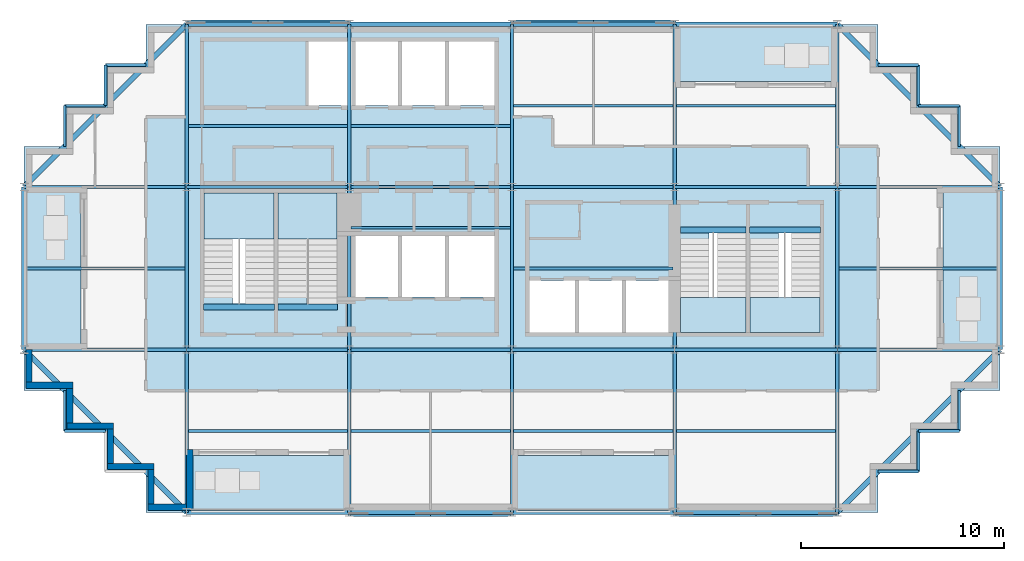
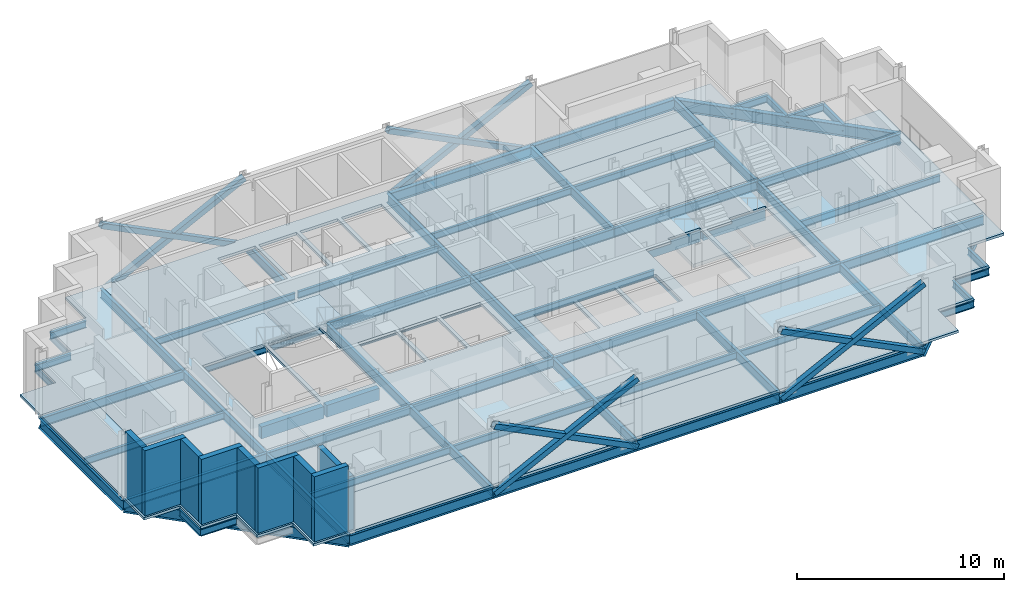
# One storey, part 3 of 10: 71 beams, 12 slabs, 9 walls, 8 members, 4 elements without a shape of their own.
"""IFC4 building model written with IfcOpenShell, lengths in metres."""

from ifc_helpers import new_model, si_unit, direction, frame, frame_2d, origin, origin_2d, place, context, subcontext, project, spatial, polyline, rectangle, hollow_rectangle, i_section, outline, extrude, material, layer, layer_set, material_profile, profile_set, type_object, element, aggregate, save


model = new_model("IFC4")

# Units and contexts
model_context = context("Model", 3, precision=1e-05, world=origin(), true_north=direction((0.0, 1.0)))
body_context = subcontext(model_context, "Body", "Model", "MODEL_VIEW")
ifc_project = project(units=[si_unit("LENGTHUNIT", "METRE"), si_unit("AREAUNIT", "SQUARE_METRE"), si_unit("VOLUMEUNIT", "CUBIC_METRE"), si_unit("PLANEANGLEUNIT", "RADIAN"), si_unit("MASSUNIT", "GRAM", prefix="KILO")], contexts=[model_context])

# Site, building, storey
site_placement = place(None, origin())
site = spatial("IfcSite", under=ifc_project, at=site_placement, CompositionType="ELEMENT")
building_placement = place(site_placement, origin())
building = spatial("IfcBuilding", under=site, at=building_placement, Name="Immortelle Media Tower", CompositionType="ELEMENT")
storey_placement = place(building_placement, frame((0.0, 0.0, 217.0)))
storey = spatial("IfcBuildingStorey", under=building, at=storey_placement, Name="L46", CompositionType="ELEMENT", Elevation=217.0)

# Members
ifc_material_1 = material(Name="Steel ASTM A500 Gr C", Category="steel")
ifc_material_profile_1 = material_profile(ifc_material_1, hollow_rectangle(XDim=0.304931640625, YDim=0.304931640625, WallThickness=0.011962890625, at=origin_2d()), Name="HSS12x12x1/2 brace")
ifc_profile_set_1 = profile_set([ifc_material_profile_1], Name="Steel ASTM A500 Gr C")
member_type = type_object("IfcMemberType", Name="HSS12x12x1/2 brace", PredefinedType="BRACE", material=ifc_profile_set_1)
for number, where, z_axis, x_axis, name in (
    (1, (16.0, -0.0625, -0.4560546875), (0.894427191, 0.0, 0.4472135955), (0.0, 1.0, 0.0), "Brace A/3-4 A"),
    (2, (16.0, -0.0625, 3.5439453125), (0.894427191, 0.0, -0.4472135955), (0.0, 1.0, 0.0), "Brace A/3-4 B"),
    (3, (32.0, -0.0625, -0.4560546875), (0.894427191, 0.0, 0.4472135955), (0.0, 1.0, 0.0), "Brace A/5-6 A"),
    (4, (32.0, -0.0625, 3.5439453125), (0.894427191, 0.0, -0.4472135955), (0.0, 1.0, 0.0), "Brace A/5-6 B"),
    (5, (32.0, 24.0625, -0.4560546875), (-0.894427191, 0.0, 0.4472135955), (0.0, -1.0, 0.0), "Brace D/4-5 A"),
    (6, (32.0, 24.0625, 3.5439453125), (-0.894427191, 0.0, -0.4472135955), (0.0, -1.0, 0.0), "Brace D/4-5 B"),
    (7, (16.0, 24.0625, -0.4560546875), (-0.894427191, 0.0, 0.4472135955), (0.0, -1.0, 0.0), "Brace D/2-3 A"),
    (8, (16.0, 24.0625, 3.5439453125), (-0.894427191, 0.0, -0.4472135955), (0.0, -1.0, 0.0), "Brace D/2-3 B"),
):
    element("IfcMember", number, at=place(storey_placement, frame(where, z_axis=z_axis, x_axis=x_axis)), inside=storey, type_object=member_type, Name=name, PredefinedType="BRACE", context=body_context, shape_type="SweptSolid", body=[
        extrude(hollow_rectangle(XDim=0.304931640625, YDim=0.304931640625, WallThickness=0.011962890625, at=origin_2d()), origin(), (0.0, 0.0, 1.0), 8.9443359375),
    ])

# Beams
ifc_material_2 = material(Name="Concrete C50/60", Category="concrete")
ifc_material_profile_2 = material_profile(ifc_material_2, rectangle(XDim=0.300048828125, YDim=0.699951171875, at=origin_2d()), Name="RC 300x700")
ifc_profile_set_2 = profile_set([ifc_material_profile_2], Name="Concrete C50/60")
beam_type_1 = type_object("IfcBeamType", Name="Stair trimmer beam 300 x 700", PredefinedType="BEAM", material=ifc_profile_set_2)
beam_1_placement = place(storey_placement, frame((8.830078125, 10.10498046875, -0.5), z_axis=(1.0, 0.0, 0.0), x_axis=(0.0, 1.0, 0.0)))
element("IfcBeam", 9, at=beam_1_placement, inside=storey, type_object=beam_type_1, Name="Stair trimmer beam SW1", PredefinedType="BEAM", context=body_context, shape_type="SweptSolid", body=[
    extrude(rectangle(XDim=0.300048828125, YDim=0.699951171875, at=origin_2d()), origin(), (0.0, 0.0, 1.0), 3.489990234375),
])
beam_2_placement = place(storey_placement, frame((12.47998046875, 10.10498046875, -0.5), z_axis=(1.0, 0.0, 0.0), x_axis=(0.0, 1.0, 0.0)))
element("IfcBeam", 10, at=beam_2_placement, inside=storey, type_object=beam_type_1, Name="Stair trimmer beam SW2", PredefinedType="BEAM", context=body_context, shape_type="SweptSolid", body=[
    extrude(rectangle(XDim=0.300048828125, YDim=0.699951171875, at=origin_2d()), origin(), (0.0, 0.0, 1.0), 2.93994140625),
])
beam_3_placement = place(storey_placement, frame((32.280029296875, 13.89501953125, -0.5), z_axis=(1.0, 0.0, 0.0), x_axis=(0.0, 1.0, 0.0)))
element("IfcBeam", 11, at=beam_3_placement, inside=storey, type_object=beam_type_1, Name="Stair trimmer beam SE1", PredefinedType="BEAM", context=body_context, shape_type="SweptSolid", body=[
    extrude(rectangle(XDim=0.300048828125, YDim=0.699951171875, at=origin_2d()), origin(), (0.0, 0.0, 1.0), 3.239990234375),
])
beam_4_placement = place(storey_placement, frame((35.679931640625, 13.89501953125, -0.5), z_axis=(1.0, 0.0, 0.0), x_axis=(0.0, 1.0, 0.0)))
element("IfcBeam", 12, at=beam_4_placement, inside=storey, type_object=beam_type_1, Name="Stair trimmer beam SE2", PredefinedType="BEAM", context=body_context, shape_type="SweptSolid", body=[
    extrude(rectangle(XDim=0.300048828125, YDim=0.699951171875, at=origin_2d()), origin(), (0.0, 0.0, 1.0), 3.489990234375),
])
ifc_material_3 = material(Name="Steel ASTM A992 Gr 50", Category="steel")
ifc_material_profile_3 = material_profile(ifc_material_3, i_section(OverallWidth=0.139892578125, OverallDepth=0.404052734375, WebThickness=0.007080078125, FlangeThickness=0.010986328125, at=origin_2d()), Name="W16x31")
ifc_profile_set_3 = profile_set([ifc_material_profile_3], Name="Steel ASTM A992 Gr 50")
beam_type_2 = type_object("IfcBeamType", Name="W16x31 secondary beam", PredefinedType="JOIST", material=ifc_profile_set_3)
for number, where, z_axis, x_axis, name in (
    (13, (8.08349609375, 4.0, -0.35205078125), (1.0, 0.0, 0.0), (0.0, 1.0, 0.0), "Beam A-B/2-3"),
    (14, (16.08349609375, 4.0, -0.35205078125), (1.0, 0.0, 0.0), (0.0, 1.0, 0.0), "Beam A-B/3-4"),
    (15, (24.08349609375, 4.0, -0.35205078125), (1.0, 0.0, 0.0), (0.0, 1.0, 0.0), "Beam A-B/4-5"),
    (16, (32.08349609375, 4.0, -0.35205078125), (1.0, 0.0, 0.0), (0.0, 1.0, 0.0), "Beam A-B/5-6"),
):
    element("IfcBeam", number, at=place(storey_placement, frame(where, z_axis=z_axis, x_axis=x_axis)), inside=storey, type_object=beam_type_2, Name=name, PredefinedType="JOIST", context=body_context, shape_type="SweptSolid", body=[
        extrude(i_section(OverallWidth=0.139892578125, OverallDepth=0.404052734375, WebThickness=0.007080078125, FlangeThickness=0.010986328125, at=origin_2d()), origin(), (0.0, 0.0, 1.0), 7.8330078125),
    ])
beam_5_placement = place(storey_placement, frame((0.114501953125, 12.0, -0.35205078125), z_axis=(1.0, 0.0, 0.0), x_axis=(0.0, 1.0, 0.0)))
element("IfcBeam", 17, at=beam_5_placement, inside=storey, type_object=beam_type_2, Name="Beam B-C/1-2", PredefinedType="JOIST", context=body_context, shape_type="SweptSolid", body=[
    extrude(i_section(OverallWidth=0.139892578125, OverallDepth=0.404052734375, WebThickness=0.007080078125, FlangeThickness=0.010986328125, at=origin_2d()), origin(), (0.0, 0.0, 1.0), 7.802001953125),
])
for number, where, z_axis, x_axis, name in (
    (18, (16.08349609375, 14.0, -0.35205078125), (1.0, 0.0, 0.0), (0.0, 1.0, 0.0), "Beam B-C/3-4"),
    (19, (24.08349609375, 12.0, -0.35205078125), (1.0, 0.0, 0.0), (0.0, 1.0, 0.0), "Beam B-C/4-5"),
):
    element("IfcBeam", number, at=place(storey_placement, frame(where, z_axis=z_axis, x_axis=x_axis)), inside=storey, type_object=beam_type_2, Name=name, PredefinedType="JOIST", context=body_context, shape_type="SweptSolid", body=[
        extrude(i_section(OverallWidth=0.139892578125, OverallDepth=0.404052734375, WebThickness=0.007080078125, FlangeThickness=0.010986328125, at=origin_2d()), origin(), (0.0, 0.0, 1.0), 7.8330078125),
    ])
beam_6_placement = place(storey_placement, frame((40.08349609375, 12.0, -0.35205078125), z_axis=(1.0, 0.0, 0.0), x_axis=(0.0, 1.0, 0.0)))
element("IfcBeam", 20, at=beam_6_placement, inside=storey, type_object=beam_type_2, Name="Beam B-C/6-7", PredefinedType="JOIST", context=body_context, shape_type="SweptSolid", body=[
    extrude(i_section(OverallWidth=0.139892578125, OverallDepth=0.404052734375, WebThickness=0.007080078125, FlangeThickness=0.010986328125, at=origin_2d()), origin(), (0.0, 0.0, 1.0), 7.802001953125),
])
for number, where, z_axis, x_axis, name in (
    (21, (8.08349609375, 19.0, -0.35205078125), (1.0, 0.0, 0.0), (0.0, 1.0, 0.0), "Beam C-D/2-3"),
    (22, (16.08349609375, 19.0, -0.35205078125), (1.0, 0.0, 0.0), (0.0, 1.0, 0.0), "Beam C-D/3-4"),
    (23, (24.08349609375, 20.0, -0.35205078125), (1.0, 0.0, 0.0), (0.0, 1.0, 0.0), "Beam C-D/4-5"),
    (24, (32.08349609375, 20.0, -0.35205078125), (1.0, 0.0, 0.0), (0.0, 1.0, 0.0), "Beam C-D/5-6"),
):
    element("IfcBeam", number, at=place(storey_placement, frame(where, z_axis=z_axis, x_axis=x_axis)), inside=storey, type_object=beam_type_2, Name=name, PredefinedType="JOIST", context=body_context, shape_type="SweptSolid", body=[
        extrude(i_section(OverallWidth=0.139892578125, OverallDepth=0.404052734375, WebThickness=0.007080078125, FlangeThickness=0.010986328125, at=origin_2d()), origin(), (0.0, 0.0, 1.0), 7.8330078125),
    ])
ifc_material_profile_4 = material_profile(ifc_material_3, i_section(OverallWidth=0.139892578125, OverallDepth=0.404052734375, WebThickness=0.007080078125, FlangeThickness=0.010986328125, at=origin_2d()), Name="W16x31")
ifc_profile_set_4 = profile_set([ifc_material_profile_4], Name="Steel ASTM A992 Gr 50")
beam_type_3 = type_object("IfcBeamType", Name="W16x31 serration edge beam", PredefinedType="SPANDREL", material=ifc_profile_set_4)
for number, where, z_axis, x_axis, name in (
    (25, (4.0, 4.0, -0.35205078125), (-1.0, 0.0, 0.0), (0.0, -1.0, 0.0), "Corner edge beam 3 at 1/A"),
    (26, (2.0, 4.0, -0.35205078125), (0.0, 1.0, 0.0), (-1.0, 0.0, 0.0), "Corner edge beam 4 at 1/A"),
    (27, (2.0, 18.0, -0.35205078125), (0.0, 1.0, 0.0), (-1.0, 0.0, 0.0), "Corner edge beam 1 at 1/D"),
    (28, (2.0, 20.0, -0.35205078125), (1.0, 0.0, 0.0), (0.0, 1.0, 0.0), "Corner edge beam 2 at 1/D"),
    (29, (4.0, 20.0, -0.35205078125), (0.0, 1.0, 0.0), (-1.0, 0.0, 0.0), "Corner edge beam 3 at 1/D"),
    (30, (4.0, 22.0, -0.35205078125), (1.0, 0.0, 0.0), (0.0, 1.0, 0.0), "Corner edge beam 4 at 1/D"),
    (31, (46.0, 6.0, -0.35205078125), (0.0, -1.0, 0.0), (1.0, 0.0, 0.0), "Corner edge beam 1 at 7/A"),
    (32, (46.0, 4.0, -0.35205078125), (-1.0, 0.0, 0.0), (0.0, -1.0, 0.0), "Corner edge beam 2 at 7/A"),
    (33, (44.0, 4.0, -0.35205078125), (0.0, -1.0, 0.0), (1.0, 0.0, 0.0), "Corner edge beam 3 at 7/A"),
    (34, (44.0, 2.0, -0.35205078125), (-1.0, 0.0, 0.0), (0.0, -1.0, 0.0), "Corner edge beam 4 at 7/A"),
    (35, (42.0, 22.0, -0.35205078125), (1.0, 0.0, 0.0), (0.0, 1.0, 0.0), "Corner edge beam 1 at 7/D"),
    (36, (44.0, 22.0, -0.35205078125), (0.0, -1.0, 0.0), (1.0, 0.0, 0.0), "Corner edge beam 2 at 7/D"),
    (37, (44.0, 20.0, -0.35205078125), (1.0, 0.0, 0.0), (0.0, 1.0, 0.0), "Corner edge beam 3 at 7/D"),
    (38, (46.0, 20.0, -0.35205078125), (0.0, -1.0, 0.0), (1.0, 0.0, 0.0), "Corner edge beam 4 at 7/D"),
):
    element("IfcBeam", number, at=place(storey_placement, frame(where, z_axis=z_axis, x_axis=x_axis)), inside=storey, type_object=beam_type_3, Name=name, PredefinedType="SPANDREL", context=body_context, shape_type="SweptSolid", body=[
        extrude(i_section(OverallWidth=0.139892578125, OverallDepth=0.404052734375, WebThickness=0.007080078125, FlangeThickness=0.010986328125, at=origin_2d()), origin(), (0.0, 0.0, 1.0), 2.0),
    ])
ifc_material_profile_5 = material_profile(ifc_material_3, i_section(OverallWidth=0.1669921875, OverallDepth=0.535888671875, WebThickness=0.010009765625, FlangeThickness=0.01708984375, at=origin_2d()), Name="W21x57")
ifc_profile_set_5 = profile_set([ifc_material_profile_5], Name="Steel ASTM A992 Gr 50")
beam_type_4 = type_object("IfcBeamType", Name="W21x57 girder", PredefinedType="BEAM", material=ifc_profile_set_5)
for number, where, z_axis, x_axis, name in (
    (39, (0.0, 8.0, -0.41796875), (1.0, 0.0, 0.0), (0.0, 1.0, 0.0), "Girder B/1-2"),
    (40, (0.0, 16.0, -0.41796875), (1.0, 0.0, 0.0), (0.0, 1.0, 0.0), "Girder C/1-2"),
    (41, (8.0, 0.0, -0.41796875), (0.0, 1.0, 0.0), (-1.0, 0.0, 0.0), "Girder 2/A-B"),
    (42, (8.0, 8.0, -0.41796875), (1.0, 0.0, 0.0), (0.0, 1.0, 0.0), "Girder B/2-3"),
    (43, (8.0, 8.0, -0.41796875), (0.0, 1.0, 0.0), (-1.0, 0.0, 0.0), "Girder 2/B-C"),
    (44, (8.0, 16.0, -0.41796875), (1.0, 0.0, 0.0), (0.0, 1.0, 0.0), "Girder C/2-3"),
    (45, (8.0, 16.0, -0.41796875), (0.0, 1.0, 0.0), (-1.0, 0.0, 0.0), "Girder 2/C-D"),
    (46, (16.0, 0.0, -0.41796875), (0.0, 1.0, 0.0), (-1.0, 0.0, 0.0), "Girder 3/A-B"),
    (47, (16.0, 8.0, -0.41796875), (1.0, 0.0, 0.0), (0.0, 1.0, 0.0), "Girder B/3-4"),
    (48, (16.0, 8.0, -0.41796875), (0.0, 1.0, 0.0), (-1.0, 0.0, 0.0), "Girder 3/B-C"),
    (49, (16.0, 16.0, -0.41796875), (1.0, 0.0, 0.0), (0.0, 1.0, 0.0), "Girder C/3-4"),
    (50, (16.0, 16.0, -0.41796875), (0.0, 1.0, 0.0), (-1.0, 0.0, 0.0), "Girder 3/C-D"),
    (51, (24.0, 0.0, -0.41796875), (0.0, 1.0, 0.0), (-1.0, 0.0, 0.0), "Girder 4/A-B"),
    (52, (24.0, 8.0, -0.41796875), (1.0, 0.0, 0.0), (0.0, 1.0, 0.0), "Girder B/4-5"),
    (53, (24.0, 8.0, -0.41796875), (0.0, 1.0, 0.0), (-1.0, 0.0, 0.0), "Girder 4/B-C"),
    (54, (24.0, 16.0, -0.41796875), (1.0, 0.0, 0.0), (0.0, 1.0, 0.0), "Girder C/4-5"),
    (55, (24.0, 16.0, -0.41796875), (0.0, 1.0, 0.0), (-1.0, 0.0, 0.0), "Girder 4/C-D"),
    (56, (32.0, 0.0, -0.41796875), (0.0, 1.0, 0.0), (-1.0, 0.0, 0.0), "Girder 5/A-B"),
    (57, (32.0, 8.0, -0.41796875), (1.0, 0.0, 0.0), (0.0, 1.0, 0.0), "Girder B/5-6"),
    (58, (32.0, 8.0, -0.41796875), (0.0, 1.0, 0.0), (-1.0, 0.0, 0.0), "Girder 5/B-C"),
    (59, (32.0, 16.0, -0.41796875), (1.0, 0.0, 0.0), (0.0, 1.0, 0.0), "Girder C/5-6"),
    (60, (32.0, 16.0, -0.41796875), (0.0, 1.0, 0.0), (-1.0, 0.0, 0.0), "Girder 5/C-D"),
    (61, (40.0, 0.0, -0.41796875), (0.0, 1.0, 0.0), (-1.0, 0.0, 0.0), "Girder 6/A-B"),
    (62, (40.0, 8.0, -0.41796875), (1.0, 0.0, 0.0), (0.0, 1.0, 0.0), "Girder B/6-7"),
    (63, (40.0, 8.0, -0.41796875), (0.0, 1.0, 0.0), (-1.0, 0.0, 0.0), "Girder 6/B-C"),
    (64, (40.0, 16.0, -0.41796875), (1.0, 0.0, 0.0), (0.0, 1.0, 0.0), "Girder C/6-7"),
    (65, (40.0, 16.0, -0.41796875), (0.0, 1.0, 0.0), (-1.0, 0.0, 0.0), "Girder 6/C-D"),
):
    element("IfcBeam", number, at=place(storey_placement, frame(where, z_axis=z_axis, x_axis=x_axis)), inside=storey, type_object=beam_type_4, Name=name, PredefinedType="BEAM", context=body_context, shape_type="SweptSolid", body=[
        extrude(i_section(OverallWidth=0.1669921875, OverallDepth=0.535888671875, WebThickness=0.010009765625, FlangeThickness=0.01708984375, at=origin_2d()), origin(), (0.0, 0.0, 1.0), 8.0),
    ])
ifc_material_profile_6 = material_profile(ifc_material_3, i_section(OverallWidth=0.22900390625, OverallDepth=0.612060546875, WebThickness=0.011962890625, FlangeThickness=0.02001953125, at=origin_2d()), Name="W24x84")
ifc_profile_set_6 = profile_set([ifc_material_profile_6], Name="Steel ASTM A992 Gr 50")
beam_type_5 = type_object("IfcBeamType", Name="W24x84 perimeter girder", PredefinedType="SPANDREL", material=ifc_profile_set_6)
for number, where, z_axis, x_axis, name in (
    (66, (0.0, 8.0, -0.4560546875), (0.0, 1.0, 0.0), (-1.0, 0.0, 0.0), "Girder 1/B-C"),
    (67, (8.0, 0.0, -0.4560546875), (1.0, 0.0, 0.0), (0.0, 1.0, 0.0), "Girder A/2-3"),
    (68, (8.0, 24.0, -0.4560546875), (1.0, 0.0, 0.0), (0.0, 1.0, 0.0), "Girder D/2-3"),
    (69, (16.0, 0.0, -0.4560546875), (1.0, 0.0, 0.0), (0.0, 1.0, 0.0), "Girder A/3-4"),
    (70, (16.0, 24.0, -0.4560546875), (1.0, 0.0, 0.0), (0.0, 1.0, 0.0), "Girder D/3-4"),
    (71, (24.0, 0.0, -0.4560546875), (1.0, 0.0, 0.0), (0.0, 1.0, 0.0), "Girder A/4-5"),
    (72, (24.0, 24.0, -0.4560546875), (1.0, 0.0, 0.0), (0.0, 1.0, 0.0), "Girder D/4-5"),
    (73, (32.0, 0.0, -0.4560546875), (1.0, 0.0, 0.0), (0.0, 1.0, 0.0), "Girder A/5-6"),
    (74, (32.0, 24.0, -0.4560546875), (1.0, 0.0, 0.0), (0.0, 1.0, 0.0), "Girder D/5-6"),
    (75, (48.0, 8.0, -0.4560546875), (0.0, 1.0, 0.0), (-1.0, 0.0, 0.0), "Girder 7/B-C"),
):
    element("IfcBeam", number, at=place(storey_placement, frame(where, z_axis=z_axis, x_axis=x_axis)), inside=storey, type_object=beam_type_5, Name=name, PredefinedType="SPANDREL", context=body_context, shape_type="SweptSolid", body=[
        extrude(i_section(OverallWidth=0.22900390625, OverallDepth=0.612060546875, WebThickness=0.011962890625, FlangeThickness=0.02001953125, at=origin_2d()), origin(), (0.0, 0.0, 1.0), 8.0),
    ])
ifc_material_profile_7 = material_profile(ifc_material_3, i_section(OverallWidth=0.2529296875, OverallDepth=0.677978515625, WebThickness=0.011962890625, FlangeThickness=0.01611328125, at=origin_2d()), Name="W27x84")
ifc_profile_set_7 = profile_set([ifc_material_profile_7], Name="Steel ASTM A992 Gr 50")
beam_type_6 = type_object("IfcBeamType", Name="W27x84 corner girder", PredefinedType="SPANDREL", material=ifc_profile_set_7)
for number, where, z_axis, x_axis, name in (
    (76, (8.0, 0.0, -0.489013671875), (-0.707106781187, 0.707106781187, 0.0), (-0.707106781187, -0.707106781187, 0.0), "Corner girder at 1/A"),
    (77, (0.0, 16.0, -0.489013671875), (0.707106781187, 0.707106781187, 0.0), (-0.707106781187, 0.707106781187, 0.0), "Corner girder at 1/D"),
    (78, (48.0, 8.0, -0.489013671875), (-0.707106781187, -0.707106781187, 0.0), (0.707106781187, -0.707106781187, 0.0), "Corner girder at 7/A"),
    (79, (40.0, 24.0, -0.489013671875), (0.707106781187, -0.707106781187, 0.0), (0.707106781187, 0.707106781187, 0.0), "Corner girder at 7/D"),
):
    element("IfcBeam", number, at=place(storey_placement, frame(where, z_axis=z_axis, x_axis=x_axis)), inside=storey, type_object=beam_type_6, Name=name, PredefinedType="SPANDREL", context=body_context, shape_type="SweptSolid", body=[
        extrude(i_section(OverallWidth=0.2529296875, OverallDepth=0.677978515625, WebThickness=0.011962890625, FlangeThickness=0.01611328125, at=origin_2d()), origin(), (0.0, 0.0, 1.0), 11.313720703125),
    ])

# Slabs
ifc_material_4 = material(Name="Concrete C50/60 composite deck", Category="concrete")
ifc_layer_1 = layer(ifc_material_4, 0.14990234375)
ifc_layer_set_1 = layer_set([ifc_layer_1], Name="Concrete C50/60 composite deck")
slab_type_1 = type_object("IfcSlabType", Name="Balcony slab 150", PredefinedType="FLOOR", material=ifc_layer_set_1)
slab_1_placement = place(storey_placement, frame((0.0, 0.0, -0.14990234375)))
element("IfcSlab", 80, at=slab_1_placement, inside=storey, type_object=slab_type_1, Name="Balcony slab L46 S0", PredefinedType="FLOOR", context=body_context, shape_type="SweptSolid", body=[
    extrude(outline(polyline([(16.0, 0.0), (16.0, 2.800048828125), (8.0, 2.800048828125), (8.0, 0.0), (16.0, 0.0)])), origin(), (0.0, 0.0, 1.0), 0.14990234375),
])
slab_2_placement = place(storey_placement, frame((0.0, 0.0, -0.14990234375)))
element("IfcSlab", 81, at=slab_2_placement, inside=storey, type_object=slab_type_1, Name="Balcony slab L46 S2", PredefinedType="FLOOR", context=body_context, shape_type="SweptSolid", body=[
    extrude(outline(polyline([(32.0, 0.0), (32.0, 2.800048828125), (24.0, 2.800048828125), (24.0, 0.0), (32.0, 0.0)])), origin(), (0.0, 0.0, 1.0), 0.14990234375),
])
slab_3_placement = place(storey_placement, frame((0.0, 0.0, -0.14990234375)))
element("IfcSlab", 82, at=slab_3_placement, inside=storey, type_object=slab_type_1, Name="Balcony slab L46 E0", PredefinedType="FLOOR", context=body_context, shape_type="SweptSolid", body=[
    extrude(outline(polyline([(48.0, 8.0), (48.0, 16.0), (45.199951171875, 16.0), (45.199951171875, 8.0), (48.0, 8.0)])), origin(), (0.0, 0.0, 1.0), 0.14990234375),
])
slab_4_placement = place(storey_placement, frame((0.0, 0.0, -0.14990234375)))
element("IfcSlab", 83, at=slab_4_placement, inside=storey, type_object=slab_type_1, Name="Balcony slab L46 N0", PredefinedType="FLOOR", context=body_context, shape_type="SweptSolid", body=[
    extrude(outline(polyline([(40.0, 21.199951171875), (40.0, 24.0), (32.0, 24.0), (32.0, 21.199951171875), (40.0, 21.199951171875)])), origin(), (0.0, 0.0, 1.0), 0.14990234375),
])
slab_5_placement = place(storey_placement, frame((0.0, 0.0, -0.14990234375)))
element("IfcSlab", 84, at=slab_5_placement, inside=storey, type_object=slab_type_1, Name="Balcony slab L46 W0", PredefinedType="FLOOR", context=body_context, shape_type="SweptSolid", body=[
    extrude(outline(polyline([(2.800048828125, 8.0), (2.800048828125, 16.0), (0.0, 16.0), (0.0, 8.0), (2.800048828125, 8.0)])), origin(), (0.0, 0.0, 1.0), 0.14990234375),
])
ifc_layer_2 = layer(ifc_material_2, 0.14990234375)
ifc_layer_set_2 = layer_set([ifc_layer_2], Name="Concrete C50/60")
slab_type_2 = type_object("IfcSlabType", Name="Composite floor slab 150", PredefinedType="FLOOR", material=ifc_layer_set_2)
slab_6_placement = place(storey_placement, frame((0.0, 0.0, -0.14990234375)))
element("IfcSlab", 85, at=slab_6_placement, inside=storey, type_object=slab_type_2, Name="Floor slab L46", PredefinedType="FLOOR", context=body_context, shape_type="SweptSolid", body=[
    extrude(outline(polyline([(6.0, 0.0), (6.0, 2.0), (4.0, 2.0), (4.0, 4.0), (2.0, 4.0), (2.0, 6.0), (0.0, 6.0), (0.0, 8.0), (2.800048828125, 8.0), (2.800048828125, 16.0), (0.0, 16.0), (0.0, 18.0), (2.0, 18.0), (2.0, 20.0), (4.0, 20.0), (4.0, 22.0), (6.0, 22.0), (6.0, 24.0), (8.0, 24.0), (8.0, 8.0), (24.0, 8.0), (40.0, 8.0), (40.0, 16.0), (24.0, 16.0), (24.0, 21.199951171875), (24.0, 24.0), (32.0, 24.0), (32.0, 21.199951171875), (40.0, 21.199951171875), (40.0, 24.0), (42.0, 24.0), (42.0, 22.0), (44.0, 22.0), (44.0, 20.0), (46.0, 20.0), (46.0, 18.0), (48.0, 18.0), (48.0, 16.0), (45.199951171875, 16.0), (45.199951171875, 8.0), (48.0, 8.0), (48.0, 6.0), (46.0, 6.0), (46.0, 4.0), (44.0, 4.0), (44.0, 2.0), (42.0, 2.0), (42.0, 0.0), (32.0, 0.0), (32.0, 2.800048828125), (24.0, 2.800048828125), (24.0, 0.0), (16.0, 0.0), (16.0, 2.800048828125), (8.0, 2.800048828125), (8.0, 0.0), (6.0, 0.0)])), origin(), (0.0, 0.0, 1.0), 0.14990234375),
])
ifc_layer_3 = layer(ifc_material_2, 0.14990234375)
ifc_layer_set_3 = layer_set([ifc_layer_3], Name="Concrete C50/60")
slab_type_3 = type_object("IfcSlabType", Name="Core floor slab 150", PredefinedType="FLOOR", material=ifc_layer_set_3)
slab_7_placement = place(storey_placement, frame((0.0, 0.0, -0.14990234375)))
element("IfcSlab", 86, at=slab_7_placement, inside=storey, type_object=slab_type_3, Name="Core floor SW", PredefinedType="FLOOR", context=body_context, shape_type="SweptSolid", body=[
    extrude(outline(polyline([(8.0, 8.0), (24.0, 8.0), (24.0, 24.0), (8.0, 24.0), (8.0, 8.0)]), holes=[polyline([(14.0, 20.0), (16.10009765625, 20.0), (16.10009765625, 23.14990234375), (14.0, 23.14990234375), (14.0, 20.0)]), polyline([(16.300048828125, 20.0), (18.39990234375, 20.0), (18.39990234375, 23.14990234375), (16.300048828125, 23.14990234375), (16.300048828125, 20.0)]), polyline([(18.60009765625, 20.0), (20.699951171875, 20.0), (20.699951171875, 23.14990234375), (18.60009765625, 23.14990234375), (18.60009765625, 20.0)]), polyline([(20.89990234375, 20.0), (23.14990234375, 20.0), (23.14990234375, 23.14990234375), (20.89990234375, 23.14990234375), (20.89990234375, 20.0)]), polyline([(16.300048828125, 10.60009765625), (18.39990234375, 10.60009765625), (18.39990234375, 13.60009765625), (16.300048828125, 13.60009765625), (16.300048828125, 10.60009765625)]), polyline([(18.60009765625, 10.60009765625), (20.699951171875, 10.60009765625), (20.699951171875, 13.60009765625), (18.60009765625, 13.60009765625), (18.60009765625, 10.60009765625)]), polyline([(20.89990234375, 10.60009765625), (23.14990234375, 10.60009765625), (23.14990234375, 13.60009765625), (20.89990234375, 13.60009765625), (20.89990234375, 10.60009765625)]), polyline([(8.85009765625, 15.699951171875), (12.300048828125, 15.699951171875), (12.300048828125, 10.27001953125), (10.25, 10.27001953125), (10.25, 10.56005859375), (8.85009765625, 10.56005859375), (8.85009765625, 15.699951171875)]), polyline([(12.5, 15.699951171875), (15.39990234375, 15.699951171875), (15.39990234375, 10.27001953125), (13.89990234375, 10.27001953125), (13.89990234375, 10.56005859375), (12.5, 10.56005859375), (12.5, 15.699951171875)])]), origin(), (0.0, 0.0, 1.0), 0.14990234375),
])
slab_8_placement = place(storey_placement, frame((0.0, 0.0, -0.14990234375)))
element("IfcSlab", 87, at=slab_8_placement, inside=storey, type_object=slab_type_3, Name="Core floor SE", PredefinedType="FLOOR", context=body_context, shape_type="SweptSolid", body=[
    extrude(outline(polyline([(24.0, 8.0), (40.0, 8.0), (40.0, 16.0), (24.0, 16.0), (24.0, 8.0)]), holes=[polyline([(24.85009765625, 8.85009765625), (27.10009765625, 8.85009765625), (27.10009765625, 11.39990234375), (24.85009765625, 11.39990234375), (24.85009765625, 8.85009765625)]), polyline([(27.300048828125, 8.85009765625), (29.39990234375, 8.85009765625), (29.39990234375, 11.39990234375), (27.300048828125, 11.39990234375), (27.300048828125, 8.85009765625)]), polyline([(29.60009765625, 8.85009765625), (31.699951171875, 8.85009765625), (31.699951171875, 11.39990234375), (29.60009765625, 11.39990234375), (29.60009765625, 8.85009765625)]), polyline([(35.5, 13.72998046875), (35.5, 8.85009765625), (32.300048828125, 8.85009765625), (32.300048828125, 13.43994140625), (33.699951171875, 13.43994140625), (33.699951171875, 13.72998046875), (35.5, 13.72998046875)]), polyline([(39.14990234375, 13.72998046875), (39.14990234375, 8.85009765625), (35.699951171875, 8.85009765625), (35.699951171875, 13.43994140625), (37.10009765625, 13.43994140625), (37.10009765625, 13.72998046875), (39.14990234375, 13.72998046875)])]), origin(), (0.0, 0.0, 1.0), 0.14990234375),
])

# Stair, slab
stair_type = type_object("IfcStairType", Name="Stair with flights", PredefinedType="DOUBLE_RETURN_STAIR", material=ifc_material_3)
stair_1_placement = place(storey_placement, origin())
stair_1 = element("IfcStair", 88, at=stair_1_placement, inside=storey, type_object=stair_type, Name="Exit stair SW1", PredefinedType="DOUBLE_RETURN_STAIR")
ifc_material_5 = material(Name="Steel ASTM A572 Gr 50", Category="steel")
ifc_layer_4 = layer(ifc_material_5, 0.199951171875)
ifc_layer_set_4 = layer_set([ifc_layer_4], Name="Steel ASTM A572 Gr 50")
slab_type_4 = type_object("IfcSlabType", Name="Stair landing 200", PredefinedType="LANDING", material=ifc_layer_set_4)
slab_9_placement = place(storey_placement, frame((0.0, 0.0, 1.713134765625)))
slab_9 = element("IfcSlab", 89, at=slab_9_placement, type_object=slab_type_4, Name="ST SW1 landing 1", PredefinedType="LANDING", context=body_context, shape_type="SweptSolid", body=[
    extrude(outline(polyline([(8.85009765625, 13.43994140625), (12.300048828125, 13.43994140625), (12.300048828125, 15.699951171875), (8.85009765625, 15.699951171875), (8.85009765625, 13.43994140625)])), origin(), (0.0, 0.0, 1.0), 0.199951171875),
])
aggregate(stair_1, [slab_9])

stair_2_placement = place(storey_placement, origin())
stair_2 = element("IfcStair", 90, at=stair_2_placement, inside=storey, type_object=stair_type, Name="Exit stair SW2", PredefinedType="DOUBLE_RETURN_STAIR")
slab_10_placement = place(storey_placement, frame((0.0, 0.0, 1.713134765625)))
slab_10 = element("IfcSlab", 91, at=slab_10_placement, type_object=slab_type_4, Name="ST SW2 landing 1", PredefinedType="LANDING", context=body_context, shape_type="SweptSolid", body=[
    extrude(outline(polyline([(12.5, 13.43994140625), (15.39990234375, 13.43994140625), (15.39990234375, 15.699951171875), (12.5, 15.699951171875), (12.5, 13.43994140625)])), origin(), (0.0, 0.0, 1.0), 0.199951171875),
])
aggregate(stair_2, [slab_10])

stair_3_placement = place(storey_placement, origin())
stair_3 = element("IfcStair", 92, at=stair_3_placement, inside=storey, type_object=stair_type, Name="Exit stair SE1", PredefinedType="DOUBLE_RETURN_STAIR")
slab_11_placement = place(storey_placement, frame((0.0, 0.0, 1.713134765625)))
slab_11 = element("IfcSlab", 93, at=slab_11_placement, type_object=slab_type_4, Name="ST SE1 landing 1", PredefinedType="LANDING", context=body_context, shape_type="SweptSolid", body=[
    extrude(outline(polyline([(32.300048828125, 8.85009765625), (35.5, 8.85009765625), (35.5, 10.56005859375), (32.300048828125, 10.56005859375), (32.300048828125, 8.85009765625)])), origin(), (0.0, 0.0, 1.0), 0.199951171875),
])
aggregate(stair_3, [slab_11])

stair_4_placement = place(storey_placement, origin())
stair_4 = element("IfcStair", 94, at=stair_4_placement, inside=storey, type_object=stair_type, Name="Exit stair SE2", PredefinedType="DOUBLE_RETURN_STAIR")
slab_12_placement = place(storey_placement, frame((0.0, 0.0, 1.713134765625)))
slab_12 = element("IfcSlab", 95, at=slab_12_placement, type_object=slab_type_4, Name="ST SE2 landing 1", PredefinedType="LANDING", context=body_context, shape_type="SweptSolid", body=[
    extrude(outline(polyline([(35.699951171875, 8.85009765625), (39.14990234375, 8.85009765625), (39.14990234375, 10.56005859375), (35.699951171875, 10.56005859375), (35.699951171875, 8.85009765625)])), origin(), (0.0, 0.0, 1.0), 0.199951171875),
])
aggregate(stair_4, [slab_12])

# Walls
ifc_material_6 = material(Name="Pale aluminium cladding panel", Category="aluminium")
ifc_layer_5 = layer(ifc_material_6, 0.030029296875)
ifc_material_7 = material(Name="Steel ASTM A653 SS Gr 50 stud frame with mineral wool", Category="steel")
ifc_layer_6 = layer(ifc_material_7, 0.257568359375)
ifc_material_8 = material(Name="Moisture-resistant gypsum board", Category="gypsum")
ifc_layer_7 = layer(ifc_material_8, 0.012451171875)
ifc_layer_set_5 = layer_set([ifc_layer_5, ifc_layer_6, ifc_layer_7], Name="Steel ASTM A653 SS Gr 50 stud frame with mineral wool")
wall_type = type_object("IfcWallType", Name="Facade wall 300", PredefinedType="SOLIDWALL", material=ifc_layer_set_5)
wall_1_placement = place(storey_placement, frame((0.10009765625, 6.25, 0.0), z_axis=(0.0, 0.0, 1.0), x_axis=(1.0, 0.0, 0.0)))
element("IfcWall", 96, at=wall_1_placement, inside=storey, type_object=wall_type, Name="Facade wall L46 S0", PredefinedType="SOLIDWALL", context=body_context, shape_type="SweptSolid", body=[
    extrude(rectangle(XDim=2.2998046875, YDim=0.300048828125, at=frame_2d((1.14990234375, 0.0))), origin(), (0.0, 0.0, 1.0), 3.85009765625),
])
wall_2_placement = place(storey_placement, frame((2.25, 6.10009765625, 0.0), z_axis=(0.0, 0.0, 1.0), x_axis=(0.0, -1.0, 0.0)))
element("IfcWall", 97, at=wall_2_placement, inside=storey, type_object=wall_type, Name="Facade wall L46 W1", PredefinedType="SOLIDWALL", context=body_context, shape_type="SweptSolid", body=[
    extrude(rectangle(XDim=1.7001953125, YDim=0.300048828125, at=frame_2d((0.85009765625, 0.0))), origin(), (0.0, 0.0, 1.0), 3.85009765625),
])
wall_3_placement = place(storey_placement, frame((2.10009765625, 4.25, 0.0), z_axis=(0.0, 0.0, 1.0), x_axis=(1.0, 0.0, 0.0)))
element("IfcWall", 98, at=wall_3_placement, inside=storey, type_object=wall_type, Name="Facade wall L46 S2", PredefinedType="SOLIDWALL", context=body_context, shape_type="SweptSolid", body=[
    extrude(rectangle(XDim=2.2998046875, YDim=0.300048828125, at=frame_2d((1.14990234375, 0.0))), origin(), (0.0, 0.0, 1.0), 3.85009765625),
])
wall_4_placement = place(storey_placement, frame((4.25, 4.10009765625, 0.0), z_axis=(0.0, 0.0, 1.0), x_axis=(0.0, -1.0, 0.0)))
element("IfcWall", 99, at=wall_4_placement, inside=storey, type_object=wall_type, Name="Facade wall L46 W3", PredefinedType="SOLIDWALL", context=body_context, shape_type="SweptSolid", body=[
    extrude(rectangle(XDim=1.7001953125, YDim=0.300048828125, at=frame_2d((0.85009765625, 0.0))), origin(), (0.0, 0.0, 1.0), 3.85009765625),
])
wall_5_placement = place(storey_placement, frame((4.10009765625, 2.25, 0.0), z_axis=(0.0, 0.0, 1.0), x_axis=(1.0, 0.0, 0.0)))
element("IfcWall", 100, at=wall_5_placement, inside=storey, type_object=wall_type, Name="Facade wall L46 S4", PredefinedType="SOLIDWALL", context=body_context, shape_type="SweptSolid", body=[
    extrude(rectangle(XDim=2.2998046875, YDim=0.300048828125, at=frame_2d((1.14990234375, 0.0))), origin(), (0.0, 0.0, 1.0), 3.85009765625),
])
wall_6_placement = place(storey_placement, frame((6.25, 2.10009765625, 0.0), z_axis=(0.0, 0.0, 1.0), x_axis=(0.0, -1.0, 0.0)))
element("IfcWall", 101, at=wall_6_placement, inside=storey, type_object=wall_type, Name="Facade wall L46 W5", PredefinedType="SOLIDWALL", context=body_context, shape_type="SweptSolid", body=[
    extrude(rectangle(XDim=1.7001953125, YDim=0.300048828125, at=frame_2d((0.85009765625, 0.0))), origin(), (0.0, 0.0, 1.0), 3.85009765625),
])
wall_7_placement = place(storey_placement, frame((6.10009765625, 0.25, 0.0), z_axis=(0.0, 0.0, 1.0), x_axis=(1.0, 0.0, 0.0)))
element("IfcWall", 102, at=wall_7_placement, inside=storey, type_object=wall_type, Name="Facade wall L46 S6", PredefinedType="SOLIDWALL", context=body_context, shape_type="SweptSolid", body=[
    extrude(rectangle(XDim=1.89990234375, YDim=0.300048828125, at=frame_2d((0.949951171875, 0.0))), origin(), (0.0, 0.0, 1.0), 3.85009765625),
])
wall_8_placement = place(storey_placement, frame((8.14990234375, 0.10009765625, 0.0), z_axis=(0.0, 0.0, 1.0), x_axis=(0.0, 1.0, 0.0)))
element("IfcWall", 103, at=wall_8_placement, inside=storey, type_object=wall_type, Name="Loggia cheek wall L46 S", PredefinedType="SOLIDWALL", context=body_context, shape_type="SweptSolid", body=[
    extrude(rectangle(XDim=3.0, YDim=0.300048828125, at=frame_2d((1.5, 0.0))), origin(), (0.0, 0.0, 1.0), 3.1708984375),
])
wall_9_placement = place(storey_placement, frame((0.25, 8.0, 0.0), z_axis=(0.0, 0.0, 1.0), x_axis=(0.0, -1.0, 0.0)))
element("IfcWall", 104, at=wall_9_placement, inside=storey, type_object=wall_type, Name="Facade wall L46 W27", PredefinedType="SOLIDWALL", context=body_context, shape_type="SweptSolid", body=[
    extrude(rectangle(XDim=1.60009765625, YDim=0.300048828125, at=frame_2d((0.800048828125, 0.0))), origin(), (0.0, 0.0, 1.0), 3.85009765625),
])

save(model, "model.ifc")
